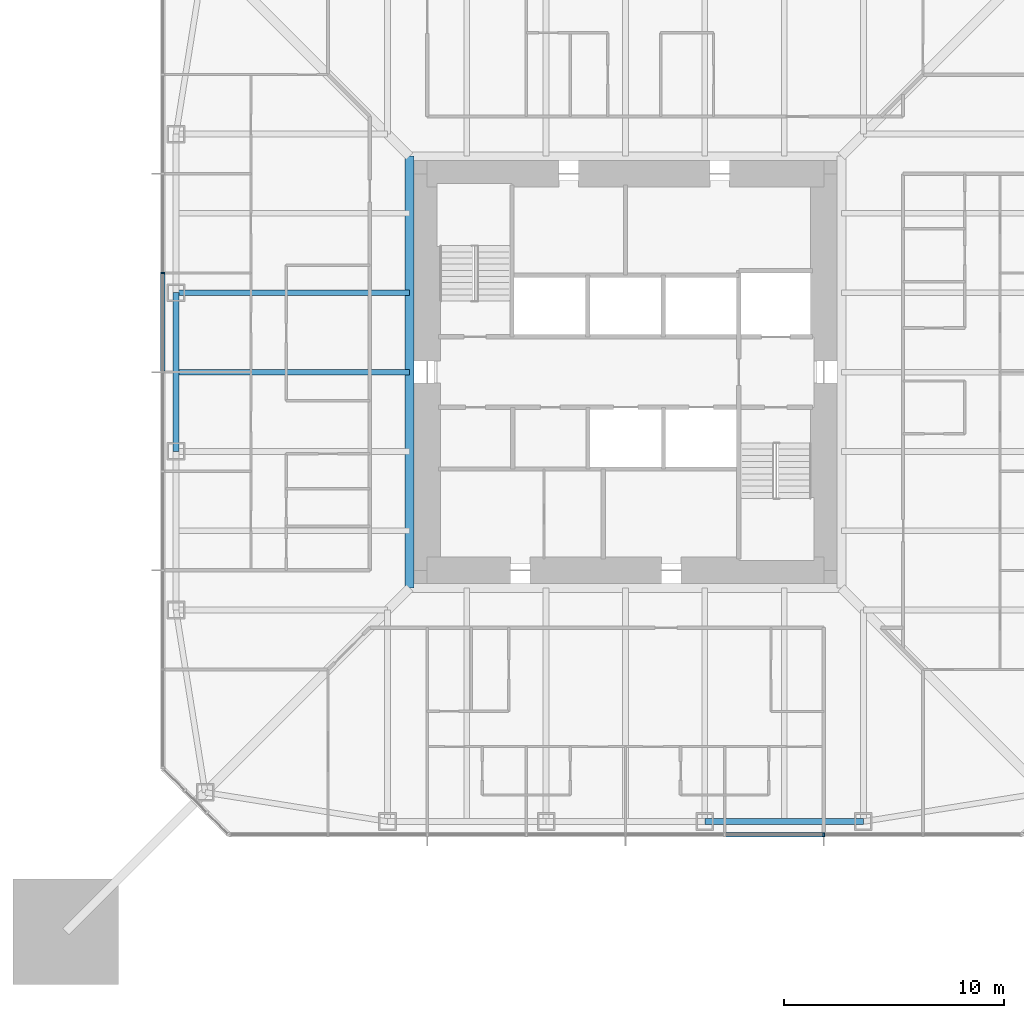
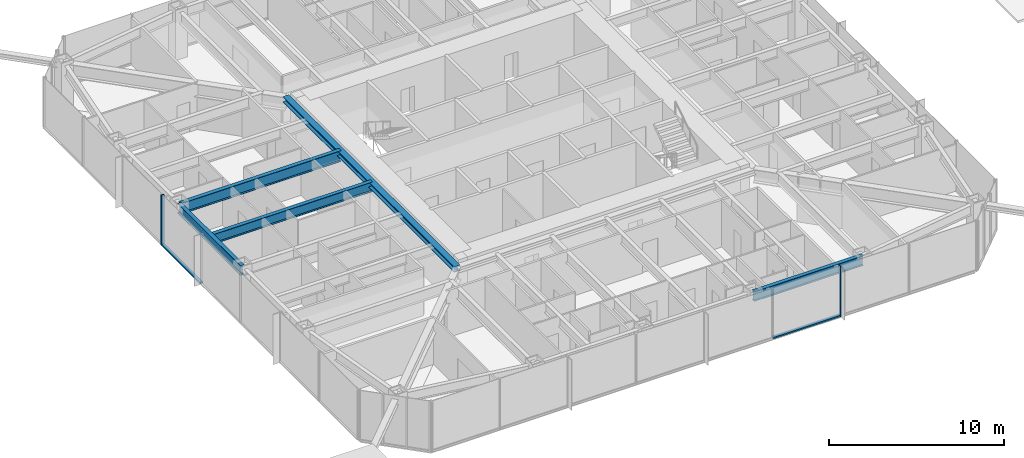
# One storey, part 4 of 25: 5 beams, 4 members, 2 elements without a shape of their own.
"""IFC4 building model written with IfcOpenShell, lengths in metres."""

from ifc_helpers import new_model, si_unit, direction, frame, origin, origin_2d, place, context, subcontext, project, spatial, rectangle, i_section, extrude, material, material_profile, profile_set, type_object, element, aggregate, save


model = new_model("IFC4")

# Units and contexts
model_context = context("Model", 3, precision=1e-05, world=origin(), true_north=direction((0.0, 1.0)))
body_context = subcontext(model_context, "Body", "Model", "MODEL_VIEW")
ifc_project = project(units=[si_unit("LENGTHUNIT", "METRE"), si_unit("AREAUNIT", "SQUARE_METRE"), si_unit("VOLUMEUNIT", "CUBIC_METRE"), si_unit("PLANEANGLEUNIT", "RADIAN"), si_unit("MASSUNIT", "GRAM", prefix="KILO")], contexts=[model_context])

# Site, building, storey
site_placement = place(None, origin())
site = spatial("IfcSite", under=ifc_project, at=site_placement, CompositionType="ELEMENT")
building_placement = place(site_placement, origin())
building = spatial("IfcBuilding", under=site, at=building_placement, Name="Iwan Alto Co-Living Towers", CompositionType="ELEMENT")
storey_placement = place(building_placement, frame((0.0, 0.0, 101.5)))
storey = spatial("IfcBuildingStorey", under=building, at=storey_placement, Name="L27", CompositionType="ELEMENT", Elevation=101.5)

# Curtain wall, member
ifc_material_1 = material(Name="Bronze aluminium unitised frame", Category="aluminium")
curtain_wall_type = type_object("IfcCurtainWallType", Name="CURTAIN WALL CW-A", PredefinedType="NOTDEFINED", material=ifc_material_1)
curtain_wall_1_placement = place(storey_placement, origin())
curtain_wall_1 = element("IfcCurtainWall", 1, at=curtain_wall_1_placement, inside=storey, type_object=curtain_wall_type, Name="T1 curtain wall S L27", PredefinedType="NOTDEFINED")
ifc_material_2 = material(Name="Aluminium 6063-T6 bronze anodised", Category="aluminium")
ifc_material_profile_1 = material_profile(ifc_material_2, rectangle(XDim=0.199951171875, YDim=0.080078125, at=origin_2d()), Name="AL 80X200")
ifc_profile_set_1 = profile_set([ifc_material_profile_1], Name="Aluminium 6063-T6 bronze anodised")
member_type_1 = type_object("IfcMemberType", Name="CW-A MULLION 80X200", PredefinedType="MULLION", material=ifc_profile_set_1)
member_1_placement = place(storey_placement, frame((9.0, -21.0, 0.0), z_axis=(0.0, 0.0, 1.0), x_axis=(0.0, 1.0, 0.0)))
member_1 = element("IfcMember", 2, at=member_1_placement, type_object=member_type_1, Name="CW-A mullion 7", PredefinedType="MULLION", context=body_context, shape_type="SweptSolid", body=[
    extrude(rectangle(XDim=0.199951171875, YDim=0.080078125, at=origin_2d()), origin(), (0.0, 0.0, 1.0), 3.5),
])

curtain_wall_2_placement = place(storey_placement, origin())
curtain_wall_2 = element("IfcCurtainWall", 3, at=curtain_wall_2_placement, inside=storey, type_object=curtain_wall_type, Name="T1 curtain wall W L27", PredefinedType="NOTDEFINED")
member_2_placement = place(storey_placement, frame((-21.0, 4.5, 0.0), z_axis=(0.0, 0.0, 1.0), x_axis=(1.0, 0.0, 0.0)))
member_2 = element("IfcMember", 4, at=member_2_placement, type_object=member_type_1, Name="CW-A mullion 4", PredefinedType="MULLION", context=body_context, shape_type="SweptSolid", body=[
    extrude(rectangle(XDim=0.199951171875, YDim=0.080078125, at=origin_2d()), origin(), (0.0, 0.0, 1.0), 3.5),
])

# Member
ifc_material_3 = material(Name="Aluminium 6063-T6 bronze anodised", Category="aluminium")
ifc_material_profile_2 = material_profile(ifc_material_3, rectangle(XDim=0.199951171875, YDim=0.10009765625, at=origin_2d()), Name="AL 200X100")
ifc_profile_set_2 = profile_set([ifc_material_profile_2], Name="Aluminium 6063-T6 bronze anodised")
member_type_2 = type_object("IfcMemberType", Name="CW-A TRANSOM 200X100", PredefinedType="USERDEFINED", material=ifc_profile_set_2)
member_3_placement = place(storey_placement, frame((4.5400390625, -21.0, 0.050048828125), z_axis=(1.0, 0.0, 0.0), x_axis=(0.0, 1.0, 0.0)))
member_3 = element("IfcMember", 5, at=member_3_placement, type_object=member_type_2, Name="CW-A transom 6.1", ObjectType="TRANSOM", PredefinedType="USERDEFINED", context=body_context, shape_type="SweptSolid", body=[
    extrude(rectangle(XDim=0.199951171875, YDim=0.10009765625, at=origin_2d()), origin(), (0.0, 0.0, 1.0), 4.419921875),
])

aggregate(curtain_wall_1, [member_1, member_3])

member_4_placement = place(storey_placement, frame((-21.0, 4.4599609375, 0.050048828125), z_axis=(0.0, -1.0, 0.0), x_axis=(1.0, 0.0, 0.0)))
member_4 = element("IfcMember", 6, at=member_4_placement, type_object=member_type_2, Name="CW-A transom 4.1", ObjectType="TRANSOM", PredefinedType="USERDEFINED", context=body_context, shape_type="SweptSolid", body=[
    extrude(rectangle(XDim=0.199951171875, YDim=0.10009765625, at=origin_2d()), origin(), (0.0, 0.0, 1.0), 4.419921875),
])

aggregate(curtain_wall_2, [member_2, member_4])

# Beams
ifc_material_4 = material(Name="Steel ASTM A992 Gr 50", Category="steel")
ifc_material_profile_3 = material_profile(ifc_material_4, i_section(OverallWidth=0.398681640625, OverallDepth=0.385986328125, WebThickness=0.02099609375, FlangeThickness=0.033203125, at=origin_2d()), Name="W14X176")
ifc_profile_set_3 = profile_set([ifc_material_profile_3], Name="Steel ASTM A992 Gr 50")
beam_type_1 = type_object("IfcBeamType", Name="T1 CORE LEDGER BEAM W14X176", PredefinedType="BEAM", material=ifc_profile_set_3)
beam_1_placement = place(storey_placement, frame((-9.79931640625, 9.79931640625, 3.076904296875), z_axis=(0.0, -1.0, 0.0), x_axis=(1.0, 0.0, 0.0)))
element("IfcBeam", 7, at=beam_1_placement, inside=storey, type_object=beam_type_1, Name="T1 core ledger beam W L28", PredefinedType="BEAM", context=body_context, shape_type="SweptSolid", body=[
    extrude(i_section(OverallWidth=0.398681640625, OverallDepth=0.385986328125, WebThickness=0.02099609375, FlangeThickness=0.033203125, at=origin_2d()), origin(), (0.0, 0.0, 1.0), 19.5986328125),
])
ifc_material_5 = material(Name="Steel ASTM A992 Gr 50", Category="steel")
ifc_material_profile_4 = material_profile(ifc_material_5, i_section(OverallWidth=0.25390625, OverallDepth=0.683349609375, WebThickness=0.012451171875, FlangeThickness=0.018798828125, at=origin_2d()), Name="W27X94")
ifc_profile_set_4 = profile_set([ifc_material_profile_4], Name="Steel ASTM A992 Gr 50")
beam_type_2 = type_object("IfcBeamType", Name="T1 EDGE BEAM W27X94", PredefinedType="BEAM", material=ifc_profile_set_4)
beam_2_placement = place(storey_placement, frame((3.60009765625, -20.39990234375, 2.928466796875), z_axis=(1.0, 0.0, 0.0), x_axis=(0.0, 1.0, 0.0)))
element("IfcBeam", 8, at=beam_2_placement, inside=storey, type_object=beam_type_2, Name="T1 edge beam S3 L28", PredefinedType="BEAM", context=body_context, shape_type="SweptSolid", body=[
    extrude(i_section(OverallWidth=0.25390625, OverallDepth=0.683349609375, WebThickness=0.012451171875, FlangeThickness=0.018798828125, at=origin_2d()), origin(), (0.0, 0.0, 1.0), 7.199951171875),
])
beam_3_placement = place(storey_placement, frame((-20.39990234375, 3.60009765625, 2.928466796875), z_axis=(0.0, -1.0, 0.0), x_axis=(1.0, 0.0, 0.0)))
element("IfcBeam", 9, at=beam_3_placement, inside=storey, type_object=beam_type_2, Name="T1 edge beam W2 L28", PredefinedType="BEAM", context=body_context, shape_type="SweptSolid", body=[
    extrude(i_section(OverallWidth=0.25390625, OverallDepth=0.683349609375, WebThickness=0.012451171875, FlangeThickness=0.018798828125, at=origin_2d()), origin(), (0.0, 0.0, 1.0), 7.2001953125),
])
ifc_material_6 = material(Name="Steel ASTM A992 Gr 50", Category="steel")
ifc_material_profile_5 = material_profile(ifc_material_6, i_section(OverallWidth=0.2666015625, OverallDepth=0.761962890625, WebThickness=0.014404296875, FlangeThickness=0.021484375, at=origin_2d()), Name="W30X116")
ifc_profile_set_5 = profile_set([ifc_material_profile_5], Name="Steel ASTM A992 Gr 50")
beam_type_3 = type_object("IfcBeamType", Name="T1 RADIAL BEAM W30X116", PredefinedType="BEAM", material=ifc_profile_set_5)
beam_4_placement = place(storey_placement, frame((-20.39990234375, 3.60009765625, 2.888916015625), z_axis=(1.0, 0.0, 0.0), x_axis=(0.0, 1.0, 0.0)))
element("IfcBeam", 10, at=beam_4_placement, inside=storey, type_object=beam_type_3, Name="T1 radial beam W2 L28", PredefinedType="BEAM", context=body_context, shape_type="SweptSolid", body=[
    extrude(i_section(OverallWidth=0.2666015625, OverallDepth=0.761962890625, WebThickness=0.014404296875, FlangeThickness=0.021484375, at=origin_2d()), origin(), (0.0, 0.0, 1.0), 10.6005859375),
])
ifc_material_7 = material(Name="Steel ASTM A992 Gr 50", Category="steel")
ifc_material_profile_6 = material_profile(ifc_material_7, i_section(OverallWidth=0.25390625, OverallDepth=0.683349609375, WebThickness=0.012451171875, FlangeThickness=0.018798828125, at=origin_2d()), Name="W27X94")
ifc_profile_set_6 = profile_set([ifc_material_profile_6], Name="Steel ASTM A992 Gr 50")
beam_type_4 = type_object("IfcBeamType", Name="T1 SECONDARY BEAM W27X94", PredefinedType="JOIST", material=ifc_profile_set_6)
beam_5_placement = place(storey_placement, frame((-20.39990234375, 0.0, 2.928466796875), z_axis=(1.0, 0.0, 0.0), x_axis=(0.0, 1.0, 0.0)))
element("IfcBeam", 11, at=beam_5_placement, inside=storey, type_object=beam_type_4, Name="T1 secondary beam W2 L28", PredefinedType="JOIST", context=body_context, shape_type="SweptSolid", body=[
    extrude(i_section(OverallWidth=0.25390625, OverallDepth=0.683349609375, WebThickness=0.012451171875, FlangeThickness=0.018798828125, at=origin_2d()), origin(), (0.0, 0.0, 1.0), 10.6005859375),
])

save(model, "model.ifc")
